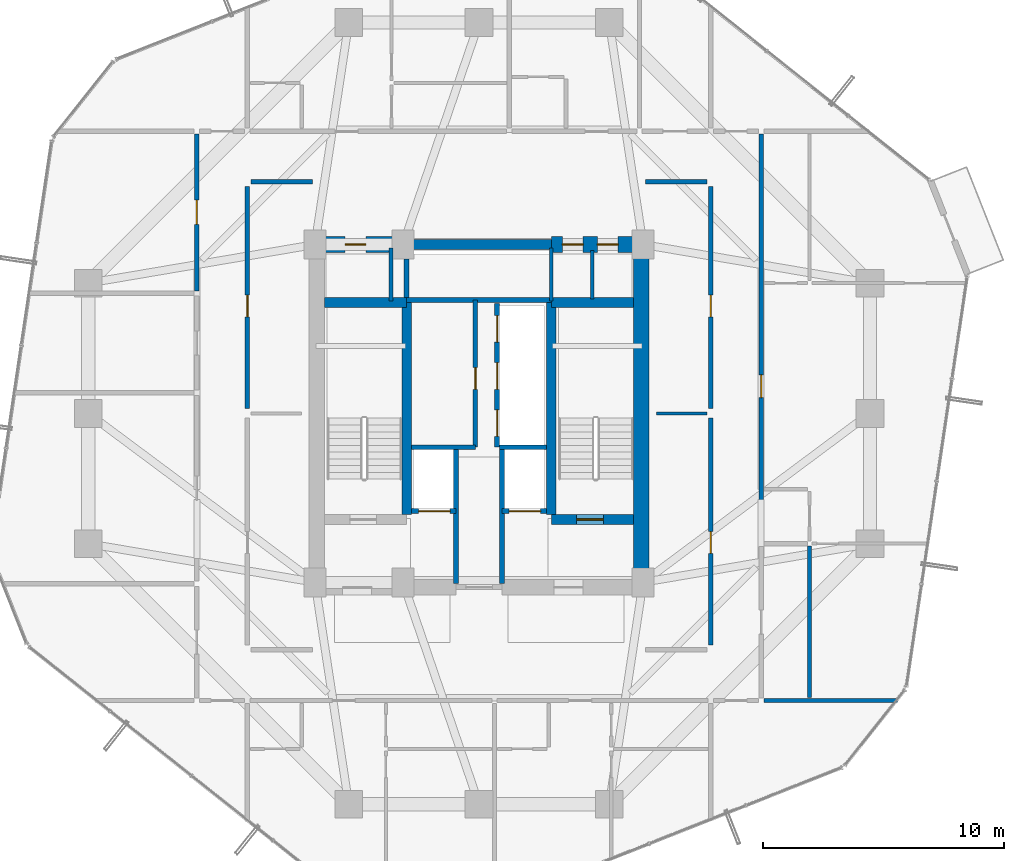
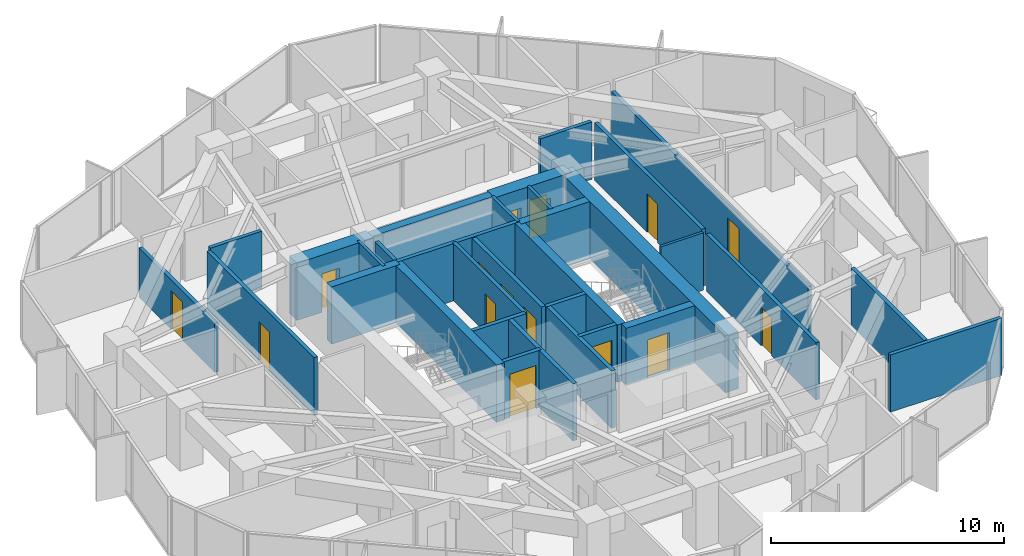
# One storey, part 25 of 29: 32 walls, 15 doors, 15 openings.
"""IFC4 building model written with IfcOpenShell, lengths in metres."""

from ifc_helpers import new_model, si_unit, direction, frame, frame_2d, origin, place, context, subcontext, project, spatial, rectangle, extrude, source, transform, mapped, material, layer, layer_set, type_object, element, fill, save


model = new_model("IFC4")

# Units and contexts
model_context = context("Model", 3, precision=1e-05, world=origin(), true_north=direction((0.0, 1.0)))
body_context = subcontext(model_context, "Body", "Model", "MODEL_VIEW")
ifc_project = project(units=[si_unit("LENGTHUNIT", "METRE"), si_unit("AREAUNIT", "SQUARE_METRE"), si_unit("VOLUMEUNIT", "CUBIC_METRE"), si_unit("PLANEANGLEUNIT", "RADIAN"), si_unit("MASSUNIT", "GRAM", prefix="KILO")], contexts=[model_context])

# Site, building, storey
site_placement = place(None, origin())
site = spatial("IfcSite", under=ifc_project, at=site_placement, CompositionType="ELEMENT")
building_placement = place(site_placement, origin())
building = spatial("IfcBuilding", under=site, at=building_placement, Name="Veraguas Prism Commons", CompositionType="ELEMENT")
storey_placement = place(building_placement, frame((0.0, 0.0, 99.199951171875)))
storey = spatial("IfcBuildingStorey", under=building, at=storey_placement, Name="L27", CompositionType="ELEMENT", Elevation=99.199951171875)

# Wall
ifc_material_1 = material(Name="Concrete C50/60", Category="concrete")
ifc_layer_1 = layer(ifc_material_1, 0.39990234375, Name="Clinic and Mid Core Shear Wall RC 400", Category="concrete")
ifc_layer_set_1 = layer_set([ifc_layer_1], Name="Concrete C50/60")
wall_type_1 = type_object("IfcWallType", Name="Clinic and Mid Core Shear Wall RC 400", PredefinedType="SHEAR", material=ifc_layer_set_1)
wall_1_placement = place(storey_placement, frame((21.0, 31.0, 0.0), z_axis=(0.0, 0.0, 1.0), x_axis=(1.0, 0.0, 0.0)))
element("IfcWall", 1, at=wall_1_placement, inside=storey, type_object=wall_type_1, Name="High-Rise Lift Bank Front Shear Wall L27", PredefinedType="SHEAR", context=body_context, shape_type="SweptSolid", body=[
    extrude(rectangle(XDim=6.0, YDim=0.39990234375, at=frame_2d((3.0, 0.0))), origin(), (0.0, 0.0, 1.0), 3.0),
])

# Wall, opening, door
wall_2_placement = place(storey_placement, frame((27.0, 19.60009765625, 0.0), z_axis=(0.0, 0.0, 1.0), x_axis=(1.0, 0.0, 0.0)))
wall_2 = element("IfcWall", 2, at=wall_2_placement, inside=storey, type_object=wall_type_1, Name="Stair ST-02 South Shear Wall L27", PredefinedType="SHEAR", context=body_context, shape_type="SweptSolid", body=[
    extrude(rectangle(XDim=3.39990234375, YDim=0.39990234375, at=frame_2d((1.699951171875, 0.0))), origin(), (0.0, 0.0, 1.0), 3.0),
])
opening_1_placement = place(wall_2_placement, frame((1.050048828125, 0.0, 0.0)))
opening_1 = element("IfcOpeningElement", 3, at=opening_1_placement, cuts=wall_2, Name="Opening DR-05", PredefinedType="OPENING", context=body_context, shape_type="SweptSolid", body=[
    extrude(rectangle(XDim=1.10009765625, YDim=2.030029296875, at=frame_2d((0.550048828125, 1.01513671875))), frame((0.0, 0.2099609375, 0.0), z_axis=(0.0, -1.0, 0.0), x_axis=(1.0, 0.0, 0.0)), (0.0, 0.0, 1.0), 0.419921875),
])
ifc_material_2 = material(Name="Steel fire-rated door assembly", Category="steel")
door_type_1 = type_object("IfcDoorType", Name="Protected Stair and Refuge Fire Door 1100x2030", OperationType="NOTDEFINED", PredefinedType="DOOR", material=ifc_material_2)
shared_shape_1 = source(origin(), body_context, "Body", "SweptSolid", [
    extrude(rectangle(XDim=1.10009765625, YDim=2.030029296875, at=frame_2d((0.550048828125, 1.01513671875))), frame((0.0, 0.02490234375, 0.0), z_axis=(0.0, -1.0, 0.0), x_axis=(1.0, 0.0, 0.0)), (0.0, 0.0, 1.0), 0.050048828125),
])
door_1_placement = place(opening_1_placement, origin())
door_1 = element("IfcDoor", 4, at=door_1_placement, inside=storey, type_object=door_type_1, Name="Stair ST-02 Enclosure Door L27", OperationType="SINGLE_SWING_RIGHT", OverallHeight=2.030029296875, OverallWidth=1.10009765625, PredefinedType="DOOR", context=body_context, shape_type="MappedRepresentation", body=[
    mapped(shared_shape_1, transform((0.0, 0.0, 0.0), scale=1.0)),
])
fill(opening_1, door_1)

# Walls
for number, where, z_axis, x_axis, name in (
    (5, (21.0, 19.800048828125, 0.0), (0.0, 0.0, 1.0), (0.0, 1.0, 0.0), "Stair ST-01 Inner Shear Wall L27"),
    (6, (27.0, 19.800048828125, 0.0), (0.0, 0.0, 1.0), (0.0, 1.0, 0.0), "Stair ST-02 Inner Shear Wall L27"),
):
    element("IfcWall", number, at=place(storey_placement, frame(where, z_axis=z_axis, x_axis=x_axis)), inside=storey, type_object=wall_type_1, Name=name, PredefinedType="SHEAR", context=body_context, shape_type="SweptSolid", body=[
        extrude(rectangle(XDim=8.800048828125, YDim=0.39990234375, at=frame_2d((4.39990234375, 0.0))), origin(), (0.0, 0.0, 1.0), 3.0),
    ])
for number, where, z_axis, x_axis, name in (
    (7, (17.60009765625, 28.60009765625, 0.0), (0.0, 0.0, 1.0), (1.0, 0.0, 0.0), "Stair ST-01 North Shear Wall L27"),
    (8, (27.0, 28.60009765625, 0.0), (0.0, 0.0, 1.0), (1.0, 0.0, 0.0), "Stair ST-02 North Shear Wall L27"),
):
    element("IfcWall", number, at=place(storey_placement, frame(where, z_axis=z_axis, x_axis=x_axis)), inside=storey, type_object=wall_type_1, Name=name, PredefinedType="SHEAR", context=body_context, shape_type="SweptSolid", body=[
        extrude(rectangle(XDim=3.39990234375, YDim=0.39990234375, at=frame_2d((1.699951171875, 0.0))), origin(), (0.0, 0.0, 1.0), 3.0),
    ])
ifc_material_3 = material(Name="Concrete C55/67", Category="concrete")
ifc_layer_2 = layer(ifc_material_3, 0.64990234375, Name="Core Outer Shear Wall Mid RC 650", Category="concrete")
ifc_layer_set_2 = layer_set([ifc_layer_2], Name="Concrete C55/67")
wall_type_2 = type_object("IfcWallType", Name="Core Outer Shear Wall Mid RC 650", PredefinedType="SHEAR", material=ifc_layer_set_2)
wall_3_placement = place(storey_placement, frame((30.72509765625, 16.800048828125, 0.0), z_axis=(0.0, 0.0, 1.0), x_axis=(0.0, 1.0, 0.0)))
element("IfcWall", 9, at=wall_3_placement, inside=storey, type_object=wall_type_2, Name="Central Core East Shear Wall L27", PredefinedType="SHEAR", context=body_context, shape_type="SweptSolid", body=[
    extrude(rectangle(XDim=14.199951171875, YDim=0.64990234375, at=frame_2d((7.10009765625, 0.0))), origin(), (0.0, 0.0, 1.0), 3.0),
])

# Wall, opening, door
wall_4_placement = place(storey_placement, frame((17.199951171875, 31.0, 0.0), z_axis=(0.0, 0.0, 1.0), x_axis=(1.0, 0.0, 0.0)))
wall_4 = element("IfcWall", 10, at=wall_4_placement, inside=storey, type_object=wall_type_2, Name="Central Core North-West Shear Wall L27", PredefinedType="SHEAR", context=body_context, shape_type="SweptSolid", body=[
    extrude(rectangle(XDim=3.800048828125, YDim=0.64990234375, at=frame_2d((1.89990234375, 0.0))), origin(), (0.0, 0.0, 1.0), 3.0),
])
opening_2_placement = place(wall_4_placement, frame((1.25, 0.0, 0.0)))
opening_2 = element("IfcOpeningElement", 11, at=opening_2_placement, cuts=wall_4, Name="Opening DR-12", PredefinedType="OPENING", context=body_context, shape_type="SweptSolid", body=[
    extrude(rectangle(XDim=0.860107421875, YDim=2.010009765625, at=frame_2d((0.43017578125, 1.0048828125))), frame((0.0, 0.3349609375, 0.0), z_axis=(0.0, -1.0, 0.0), x_axis=(1.0, 0.0, 0.0)), (0.0, 0.0, 1.0), 0.669921875),
])
door_type_2 = type_object("IfcDoorType", Name="Core WC Fire Door 860x2010", OperationType="NOTDEFINED", PredefinedType="DOOR", material=ifc_material_2)
shared_shape_2 = source(origin(), body_context, "Body", "SweptSolid", [
    extrude(rectangle(XDim=0.860107421875, YDim=2.010009765625, at=frame_2d((0.43017578125, 1.0048828125))), frame((0.0, 0.02490234375, 0.0), z_axis=(0.0, -1.0, 0.0), x_axis=(1.0, 0.0, 0.0)), (0.0, 0.0, 1.0), 0.050048828125),
])
door_2_placement = place(opening_2_placement, origin())
door_2 = element("IfcDoor", 12, at=door_2_placement, inside=storey, type_object=door_type_2, Name="Core NW Service Door L27", OperationType="SINGLE_SWING_RIGHT", OverallHeight=2.010009765625, OverallWidth=0.860107421875, PredefinedType="DOOR", context=body_context, shape_type="MappedRepresentation", body=[
    mapped(shared_shape_2, transform((0.0, 0.0, 0.0), scale=1.0)),
])
fill(opening_2, door_2)

# Wall, openings, doors
wall_5_placement = place(storey_placement, frame((27.0, 31.0, 0.0), z_axis=(0.0, 0.0, 1.0), x_axis=(1.0, 0.0, 0.0)))
wall_5 = element("IfcWall", 13, at=wall_5_placement, inside=storey, type_object=wall_type_2, Name="Central Core North-East Shear Wall L27", PredefinedType="SHEAR", context=body_context, shape_type="SweptSolid", body=[
    extrude(rectangle(XDim=3.800048828125, YDim=0.64990234375, at=frame_2d((1.89990234375, 0.0))), origin(), (0.0, 0.0, 1.0), 3.0),
])
opening_3_placement = place(wall_5_placement, frame((0.449951171875, 0.0, 0.0)))
opening_3 = element("IfcOpeningElement", 14, at=opening_3_placement, cuts=wall_5, Name="Opening DR-12", PredefinedType="OPENING", context=body_context, shape_type="SweptSolid", body=[
    extrude(rectangle(XDim=0.860107421875, YDim=2.010009765625, at=frame_2d((0.43017578125, 1.0048828125))), frame((0.0, 0.3349609375, 0.0), z_axis=(0.0, -1.0, 0.0), x_axis=(1.0, 0.0, 0.0)), (0.0, 0.0, 1.0), 0.669921875),
])
opening_4_placement = place(wall_5_placement, frame((1.89990234375, 0.0, 0.0)))
opening_4 = element("IfcOpeningElement", 15, at=opening_4_placement, cuts=wall_5, Name="Opening DR-12", PredefinedType="OPENING", context=body_context, shape_type="SweptSolid", body=[
    extrude(rectangle(XDim=0.860107421875, YDim=2.010009765625, at=frame_2d((0.43017578125, 1.0048828125))), frame((0.0, 0.3349609375, 0.0), z_axis=(0.0, -1.0, 0.0), x_axis=(1.0, 0.0, 0.0)), (0.0, 0.0, 1.0), 0.669921875),
])
door_3_placement = place(opening_3_placement, origin())
door_3 = element("IfcDoor", 16, at=door_3_placement, inside=storey, type_object=door_type_2, Name="Core NE Room A Door L27", OperationType="SINGLE_SWING_LEFT", OverallHeight=2.010009765625, OverallWidth=0.860107421875, PredefinedType="DOOR", context=body_context, shape_type="MappedRepresentation", body=[
    mapped(shared_shape_2, transform((0.0, 0.0, 0.0), scale=1.0)),
])
fill(opening_3, door_3)
door_4_placement = place(opening_4_placement, origin())
door_4 = element("IfcDoor", 17, at=door_4_placement, inside=storey, type_object=door_type_2, Name="Core NE Room B Door L27", OperationType="SINGLE_SWING_RIGHT", OverallHeight=2.010009765625, OverallWidth=0.860107421875, PredefinedType="DOOR", context=body_context, shape_type="MappedRepresentation", body=[
    mapped(shared_shape_2, transform((0.0, 0.0, 0.0), scale=1.0)),
])
fill(opening_4, door_4)

# Wall, opening, door
ifc_material_4 = material(Name="Autoclaved aerated masonry block 10 MPa", Category="masonry")
ifc_layer_3 = layer(ifc_material_4, 0.179931640625, Name="Corridor and Inter-Tenancy Partition 180", Category="masonry")
ifc_layer_set_3 = layer_set([ifc_layer_3], Name="Autoclaved aerated masonry block 10 MPa")
wall_type_3 = type_object("IfcWallType", Name="Corridor and Inter-Tenancy Partition 180", PredefinedType="PARTITIONING", material=ifc_layer_set_3)
wall_6_placement = place(storey_placement, frame((23.85009765625, 22.60009765625, 0.0), z_axis=(0.0, 0.0, 1.0), x_axis=(0.0, 1.0, 0.0)))
wall_6 = element("IfcWall", 18, at=wall_6_placement, inside=storey, type_object=wall_type_3, Name="Reading Room Partition L27", PredefinedType="PARTITIONING", context=body_context, shape_type="SweptSolid", body=[
    extrude(rectangle(XDim=6.099853515625, YDim=0.179931640625, at=frame_2d((3.0498046875, 0.0))), origin(), (0.0, 0.0, 1.0), 3.0),
])
opening_5_placement = place(wall_6_placement, frame((2.39990234375, 0.0, 0.0)))
opening_5 = element("IfcOpeningElement", 19, at=opening_5_placement, cuts=wall_6, Name="Opening DR-14", PredefinedType="OPENING", context=body_context, shape_type="SweptSolid", body=[
    extrude(rectangle(XDim=0.89990234375, YDim=2.010009765625, at=frame_2d((0.449951171875, 1.0048828125))), frame((0.0, 0.099853515625, 0.0), z_axis=(0.0, -1.0, 0.0), x_axis=(1.0, 0.0, 0.0)), (0.0, 0.0, 1.0), 0.199951171875),
])
door_type_3 = type_object("IfcDoorType", Name="Core Service Room Fire Door 900x2010", OperationType="NOTDEFINED", PredefinedType="DOOR", material=ifc_material_2)
shared_shape_3 = source(origin(), body_context, "Body", "SweptSolid", [
    extrude(rectangle(XDim=0.89990234375, YDim=2.010009765625, at=frame_2d((0.449951171875, 1.0048828125))), frame((0.0, 0.02490234375, 0.0), z_axis=(0.0, -1.0, 0.0), x_axis=(1.0, 0.0, 0.0)), (0.0, 0.0, 1.0), 0.050048828125),
])
door_5_placement = place(opening_5_placement, origin())
door_5 = element("IfcDoor", 20, at=door_5_placement, inside=storey, type_object=door_type_3, Name="Reading Room Door L27", OperationType="SINGLE_SWING_LEFT", OverallHeight=2.010009765625, OverallWidth=0.89990234375, PredefinedType="DOOR", context=body_context, shape_type="MappedRepresentation", body=[
    mapped(shared_shape_3, transform((0.0, 0.0, 0.0), scale=1.0)),
])
fill(opening_5, door_5)

wall_7_placement = place(storey_placement, frame((14.39990234375, 24.199951171875, 0.0), z_axis=(0.0, 0.0, 1.0), x_axis=(0.0, 1.0, 0.0)))
wall_7 = element("IfcWall", 21, at=wall_7_placement, inside=storey, type_object=wall_type_3, Name="WL-L27-IRW2", PredefinedType="PARTITIONING", context=body_context, shape_type="SweptSolid", body=[
    extrude(rectangle(XDim=9.199951171875, YDim=0.179931640625, at=frame_2d((4.60009765625, 0.0))), origin(), (0.0, 0.0, 1.0), 3.0),
])
opening_6_placement = place(wall_7_placement, frame((3.800048828125, 0.0, 0.0)))
opening_6 = element("IfcOpeningElement", 22, at=opening_6_placement, cuts=wall_7, Name="Opening DR-14", PredefinedType="OPENING", context=body_context, shape_type="SweptSolid", body=[
    extrude(rectangle(XDim=0.89990234375, YDim=2.010009765625, at=frame_2d((0.449951171875, 1.0048828125))), frame((0.0, 0.099853515625, 0.0), z_axis=(0.0, -1.0, 0.0), x_axis=(1.0, 0.0, 0.0)), (0.0, 0.0, 1.0), 0.199951171875),
])
door_6_placement = place(opening_6_placement, origin())
door_6 = element("IfcDoor", 23, at=door_6_placement, inside=storey, type_object=door_type_3, Name="Co-op Cycle and Pram Store Door L27", OperationType="SINGLE_SWING_LEFT", OverallHeight=2.010009765625, OverallWidth=0.89990234375, PredefinedType="DOOR", context=body_context, shape_type="MappedRepresentation", body=[
    mapped(shared_shape_3, transform((0.0, 0.0, 0.0), scale=1.0)),
])
fill(opening_6, door_6)

wall_8_placement = place(storey_placement, frame((33.60009765625, 14.39990234375, 0.0), z_axis=(0.0, 0.0, 1.0), x_axis=(0.0, 1.0, 0.0)))
wall_8 = element("IfcWall", 24, at=wall_8_placement, inside=storey, type_object=wall_type_3, Name="WL-L27-IRE1", PredefinedType="PARTITIONING", context=body_context, shape_type="SweptSolid", body=[
    extrude(rectangle(XDim=9.400146484375, YDim=0.179931640625, at=frame_2d((4.7001953125, 0.0))), origin(), (0.0, 0.0, 1.0), 3.0),
])
opening_7_placement = place(wall_8_placement, frame((3.800048828125, 0.0, 0.0)))
opening_7 = element("IfcOpeningElement", 25, at=opening_7_placement, cuts=wall_8, Name="Opening DR-14", PredefinedType="OPENING", context=body_context, shape_type="SweptSolid", body=[
    extrude(rectangle(XDim=0.89990234375, YDim=2.010009765625, at=frame_2d((0.449951171875, 1.0048828125))), frame((0.0, 0.099853515625, 0.0), z_axis=(0.0, -1.0, 0.0), x_axis=(1.0, 0.0, 0.0)), (0.0, 0.0, 1.0), 0.199951171875),
])
door_7_placement = place(opening_7_placement, origin())
door_7 = element("IfcDoor", 26, at=door_7_placement, inside=storey, type_object=door_type_3, Name="Shared Laundry Annex Door L27", OperationType="SINGLE_SWING_RIGHT", OverallHeight=2.010009765625, OverallWidth=0.89990234375, PredefinedType="DOOR", context=body_context, shape_type="MappedRepresentation", body=[
    mapped(shared_shape_3, transform((0.0, 0.0, 0.0), scale=1.0)),
])
fill(opening_7, door_7)

wall_9_placement = place(storey_placement, frame((33.60009765625, 24.199951171875, 0.0), z_axis=(0.0, 0.0, 1.0), x_axis=(0.0, 1.0, 0.0)))
wall_9 = element("IfcWall", 27, at=wall_9_placement, inside=storey, type_object=wall_type_3, Name="WL-L27-IRE2", PredefinedType="PARTITIONING", context=body_context, shape_type="SweptSolid", body=[
    extrude(rectangle(XDim=9.199951171875, YDim=0.179931640625, at=frame_2d((4.60009765625, 0.0))), origin(), (0.0, 0.0, 1.0), 3.0),
])
opening_8_placement = place(wall_9_placement, frame((3.800048828125, 0.0, 0.0)))
opening_8 = element("IfcOpeningElement", 28, at=opening_8_placement, cuts=wall_9, Name="Opening DR-14", PredefinedType="OPENING", context=body_context, shape_type="SweptSolid", body=[
    extrude(rectangle(XDim=0.89990234375, YDim=2.010009765625, at=frame_2d((0.449951171875, 1.0048828125))), frame((0.0, 0.099853515625, 0.0), z_axis=(0.0, -1.0, 0.0), x_axis=(1.0, 0.0, 0.0)), (0.0, 0.0, 1.0), 0.199951171875),
])
door_8_placement = place(opening_8_placement, origin())
door_8 = element("IfcDoor", 29, at=door_8_placement, inside=storey, type_object=door_type_3, Name="Community Reading Alcove Door L27", OperationType="SINGLE_SWING_LEFT", OverallHeight=2.010009765625, OverallWidth=0.89990234375, PredefinedType="DOOR", context=body_context, shape_type="MappedRepresentation", body=[
    mapped(shared_shape_3, transform((0.0, 0.0, 0.0), scale=1.0)),
])
fill(opening_8, door_8)

# Walls
for number, where, z_axis, x_axis, name in (
    (30, (14.550048828125, 33.60009765625, 0.0), (0.0, 0.0, 1.0), (1.0, 0.0, 0.0), "WL-L27-IRWN"),
    (31, (30.89990234375, 33.60009765625, 0.0), (0.0, 0.0, 1.0), (1.0, 0.0, 0.0), "WL-L27-IREN"),
):
    element("IfcWall", number, at=place(storey_placement, frame(where, z_axis=z_axis, x_axis=x_axis)), inside=storey, type_object=wall_type_3, Name=name, PredefinedType="PARTITIONING", context=body_context, shape_type="SweptSolid", body=[
        extrude(rectangle(XDim=2.550048828125, YDim=0.179931640625, at=frame_2d((1.27490234375, 0.0))), origin(), (0.0, 0.0, 1.0), 3.0),
    ])

# Wall, opening, door
wall_10_placement = place(storey_placement, frame((12.300048828125, 29.083984375, 0.0), z_axis=(0.0, 0.0, 1.0), x_axis=(0.0, 1.0, 0.0)))
wall_10 = element("IfcWall", 32, at=wall_10_placement, inside=storey, type_object=wall_type_3, Name="WL-L27-PT037", PredefinedType="PARTITIONING", context=body_context, shape_type="SweptSolid", body=[
    extrude(rectangle(XDim=6.506103515625, YDim=0.179931640625, at=frame_2d((3.2529296875, 0.0))), origin(), (0.0, 0.0, 1.0), 2.580078125),
])
opening_9_placement = place(wall_10_placement, frame((2.7529296875, 0.0, 0.0)))
opening_9 = element("IfcOpeningElement", 33, at=opening_9_placement, cuts=wall_10, Name="Opening DR-13", PredefinedType="OPENING", context=body_context, shape_type="SweptSolid", body=[
    extrude(rectangle(XDim=1.0, YDim=2.010009765625, at=frame_2d((0.5, 1.0048828125))), frame((0.0, 0.099853515625, 0.0), z_axis=(0.0, -1.0, 0.0), x_axis=(1.0, 0.0, 0.0)), (0.0, 0.0, 1.0), 0.199951171875),
])
door_type_4 = type_object("IfcDoorType", Name="Core Accessible WC and Clinic Fire Door 1000x2010", OperationType="NOTDEFINED", PredefinedType="DOOR", material=ifc_material_2)
shared_shape_4 = source(origin(), body_context, "Body", "SweptSolid", [
    extrude(rectangle(XDim=1.0, YDim=2.010009765625, at=frame_2d((0.5, 1.0048828125))), frame((0.0, 0.02490234375, 0.0), z_axis=(0.0, -1.0, 0.0), x_axis=(1.0, 0.0, 0.0)), (0.0, 0.0, 1.0), 0.050048828125),
])
door_9_placement = place(opening_9_placement, origin())
door_9 = element("IfcDoor", 34, at=door_9_placement, inside=storey, type_object=door_type_4, Name="Co-op Store W Door", OperationType="SINGLE_SWING_RIGHT", OverallHeight=2.010009765625, OverallWidth=1.0, PredefinedType="DOOR", context=body_context, shape_type="MappedRepresentation", body=[
    mapped(shared_shape_4, transform((0.0, 0.0, 0.0), scale=1.0)),
])
fill(opening_9, door_9)

# Wall
wall_11_placement = place(storey_placement, frame((35.820068359375, 12.10009765625, 0.0), z_axis=(0.0, 0.0, 1.0), x_axis=(1.0, 0.0, 0.0)))
element("IfcWall", 35, at=wall_11_placement, inside=storey, type_object=wall_type_3, Name="WL-L27-PT039", PredefinedType="PARTITIONING", context=body_context, shape_type="SweptSolid", body=[
    extrude(rectangle(XDim=5.521484375, YDim=0.179931640625, at=frame_2d((2.7607421875, 0.0))), origin(), (0.0, 0.0, 1.0), 3.0),
])

# Wall, opening, door
wall_12_placement = place(storey_placement, frame((35.699951171875, 18.7099609375, 0.0), z_axis=(0.0, 0.0, 1.0), x_axis=(0.0, 1.0, 0.0)))
wall_12 = element("IfcWall", 36, at=wall_12_placement, inside=storey, type_object=wall_type_3, Name="WL-L27-PT042", PredefinedType="PARTITIONING", context=body_context, shape_type="SweptSolid", body=[
    extrude(rectangle(XDim=16.880126953125, YDim=0.179931640625, at=frame_2d((8.43994140625, 0.0))), origin(), (0.0, 0.0, 1.0), 2.580078125),
])
opening_10_placement = place(wall_12_placement, frame((5.93994140625, 0.0, 0.0)))
opening_10 = element("IfcOpeningElement", 37, at=opening_10_placement, cuts=wall_12, Name="Opening DR-01", PredefinedType="OPENING", context=body_context, shape_type="SweptSolid", body=[
    extrude(rectangle(XDim=0.949951171875, YDim=2.02001953125, at=frame_2d((0.47509765625, 1.010009765625))), frame((0.0, 0.099853515625, 0.0), z_axis=(0.0, -1.0, 0.0), x_axis=(1.0, 0.0, 0.0)), (0.0, 0.0, 1.0), 0.199951171875),
])
ifc_material_5 = material(Name="Anodised aluminium EN AW-6063 T6", Category="aluminium")
door_type_5 = type_object("IfcDoorType", Name="Apartment Entrance Fire Door 950x2020", OperationType="NOTDEFINED", PredefinedType="DOOR", material=ifc_material_5)
shared_shape_5 = source(origin(), body_context, "Body", "SweptSolid", [
    extrude(rectangle(XDim=0.949951171875, YDim=2.02001953125, at=frame_2d((0.47509765625, 1.010009765625))), frame((0.0, 0.02490234375, 0.0), z_axis=(0.0, -1.0, 0.0), x_axis=(1.0, 0.0, 0.0)), (0.0, 0.0, 1.0), 0.050048828125),
])
door_10_placement = place(opening_10_placement, origin())
door_10 = element("IfcDoor", 38, at=door_10_placement, inside=storey, type_object=door_type_5, Name="Flat 27E Entrance Door", OperationType="SINGLE_SWING_RIGHT", OverallHeight=2.02001953125, OverallWidth=0.949951171875, PredefinedType="DOOR", context=body_context, shape_type="MappedRepresentation", body=[
    mapped(shared_shape_5, transform((0.0, 0.0, 0.0), scale=1.0)),
])
fill(opening_10, door_10)

# Walls
wall_13_placement = place(storey_placement, frame((37.699951171875, 12.219970703125, 0.0), z_axis=(0.0, 0.0, 1.0), x_axis=(0.0, 1.0, 0.0)))
element("IfcWall", 39, at=wall_13_placement, inside=storey, type_object=wall_type_3, Name="WL-L27-PT043", PredefinedType="PARTITIONING", context=body_context, shape_type="SweptSolid", body=[
    extrude(rectangle(XDim=6.280029296875, YDim=0.179931640625, at=frame_2d((3.14013671875, 0.0))), origin(), (0.0, 0.0, 1.0), 3.0),
])
ifc_material_6 = material(Name="Lightweight acoustic gypsum board")
ifc_layer_4 = layer(ifc_material_6, 0.125, Name="Internal Apartment Room Partition 125")
ifc_layer_set_4 = layer_set([ifc_layer_4], Name="Lightweight acoustic gypsum board")
wall_type_4 = type_object("IfcWallType", Name="Internal Apartment Room Partition 125", PredefinedType="PARTITIONING", material=ifc_layer_set_4)
wall_14_placement = place(storey_placement, frame((31.35009765625, 24.0, 0.0), z_axis=(0.0, 0.0, 1.0), x_axis=(1.0, 0.0, 0.0)))
element("IfcWall", 40, at=wall_14_placement, inside=storey, type_object=wall_type_4, Name="WL-L27-IREM", PredefinedType="PARTITIONING", context=body_context, shape_type="SweptSolid", body=[
    extrude(rectangle(XDim=2.099853515625, YDim=0.125, at=frame_2d((1.0498046875, 0.0))), origin(), (0.0, 0.0, 1.0), 3.0),
])

# Wall, opening, door
ifc_layer_5 = layer(ifc_material_4, 0.199951171875, Name="Rated Shaft and Lobby Block Wall 200", Category="masonry")
ifc_layer_set_5 = layer_set([ifc_layer_5], Name="Autoclaved aerated masonry block 10 MPa")
wall_type_5 = type_object("IfcWallType", Name="Rated Shaft and Lobby Block Wall 200", PredefinedType="SOLIDWALL", material=ifc_layer_set_5)
wall_15_placement = place(storey_placement, frame((21.199951171875, 19.949951171875, 0.0), z_axis=(0.0, 0.0, 1.0), x_axis=(1.0, 0.0, 0.0)))
wall_15 = element("IfcWall", 41, at=wall_15_placement, inside=storey, type_object=wall_type_5, Name="Firefighting Lift FFL-1 Front Wall L27", PredefinedType="SOLIDWALL", context=body_context, shape_type="SweptSolid", body=[
    extrude(rectangle(XDim=1.85009765625, YDim=0.199951171875, at=frame_2d((0.925048828125, 0.0))), origin(), (0.0, 0.0, 1.0), 3.0),
])
opening_11_placement = place(wall_15_placement, frame((0.300048828125, 0.0, 0.0)))
opening_11 = element("IfcOpeningElement", 42, at=opening_11_placement, cuts=wall_15, Name="Opening LD-02", PredefinedType="OPENING", context=body_context, shape_type="SweptSolid", body=[
    extrude(rectangle(XDim=1.300048828125, YDim=2.25, at=frame_2d((0.64990234375, 1.125))), frame((0.0, 0.10986328125, 0.0), z_axis=(0.0, -1.0, 0.0), x_axis=(1.0, 0.0, 0.0)), (0.0, 0.0, 1.0), 0.219970703125),
])
ifc_material_7 = material(Name="Stainless steel AISI 316", Category="steel")
door_type_6 = type_object("IfcDoorType", Name="Firefighting Lift Sliding Landing Door 1300x2250", OperationType="NOTDEFINED", PredefinedType="DOOR", material=ifc_material_7)
shared_shape_6 = source(origin(), body_context, "Body", "SweptSolid", [
    extrude(rectangle(XDim=1.300048828125, YDim=2.25, at=frame_2d((0.64990234375, 1.125))), frame((0.0, 0.02490234375, 0.0), z_axis=(0.0, -1.0, 0.0), x_axis=(1.0, 0.0, 0.0)), (0.0, 0.0, 1.0), 0.050048828125),
])
door_11_placement = place(opening_11_placement, origin())
door_11 = element("IfcDoor", 43, at=door_11_placement, inside=storey, type_object=door_type_6, Name="Firefighting Lift FFL-1 Landing Door L27", OperationType="SLIDING_TO_LEFT", OverallHeight=2.25, OverallWidth=1.300048828125, PredefinedType="DOOR", context=body_context, shape_type="MappedRepresentation", body=[
    mapped(shared_shape_6, transform((0.0, 0.0, 0.0), scale=1.0)),
])
fill(opening_11, door_11)

wall_16_placement = place(storey_placement, frame((24.949951171875, 19.949951171875, 0.0), z_axis=(0.0, 0.0, 1.0), x_axis=(1.0, 0.0, 0.0)))
wall_16 = element("IfcWall", 44, at=wall_16_placement, inside=storey, type_object=wall_type_5, Name="Firefighting Lift FFL-2 Front Wall L27", PredefinedType="SOLIDWALL", context=body_context, shape_type="SweptSolid", body=[
    extrude(rectangle(XDim=1.85009765625, YDim=0.199951171875, at=frame_2d((0.925048828125, 0.0))), origin(), (0.0, 0.0, 1.0), 3.0),
])
opening_12_placement = place(wall_16_placement, frame((0.300048828125, 0.0, 0.0)))
opening_12 = element("IfcOpeningElement", 45, at=opening_12_placement, cuts=wall_16, Name="Opening LD-02", PredefinedType="OPENING", context=body_context, shape_type="SweptSolid", body=[
    extrude(rectangle(XDim=1.300048828125, YDim=2.25, at=frame_2d((0.64990234375, 1.125))), frame((0.0, 0.10986328125, 0.0), z_axis=(0.0, -1.0, 0.0), x_axis=(1.0, 0.0, 0.0)), (0.0, 0.0, 1.0), 0.219970703125),
])
door_12_placement = place(opening_12_placement, origin())
door_12 = element("IfcDoor", 46, at=door_12_placement, inside=storey, type_object=door_type_6, Name="Firefighting Lift FFL-2 Front Wall L27", OperationType="SLIDING_TO_LEFT", OverallHeight=2.25, OverallWidth=1.300048828125, PredefinedType="DOOR", context=body_context, shape_type="MappedRepresentation", body=[
    mapped(shared_shape_6, transform((0.0, 0.0, 0.0), scale=1.0)),
])
fill(opening_12, door_12)

# Walls
for number, where, z_axis, x_axis, name in (
    (47, (23.050048828125, 16.949951171875, 0.0), (0.0, 0.0, 1.0), (0.0, 1.0, 0.0), "West FF Lobby Divider Wall L27"),
    (48, (24.949951171875, 16.949951171875, 0.0), (0.0, 0.0, 1.0), (0.0, 1.0, 0.0), "East FF Lobby Divider Wall L27"),
):
    element("IfcWall", number, at=place(storey_placement, frame(where, z_axis=z_axis, x_axis=x_axis)), inside=storey, type_object=wall_type_5, Name=name, PredefinedType="SOLIDWALL", context=body_context, shape_type="SweptSolid", body=[
        extrude(rectangle(XDim=5.60009765625, YDim=0.199951171875, at=frame_2d((2.800048828125, 0.0))), origin(), (0.0, 0.0, 1.0), 3.0),
    ])
wall_17_placement = place(storey_placement, frame((21.199951171875, 22.60009765625, 0.0), z_axis=(0.0, 0.0, 1.0), x_axis=(1.0, 0.0, 0.0)))
element("IfcWall", 49, at=wall_17_placement, inside=storey, type_object=wall_type_5, Name="Firefighting Lift FFL-1 Rear Wall L27", PredefinedType="SOLIDWALL", context=body_context, shape_type="SweptSolid", body=[
    extrude(rectangle(XDim=2.650146484375, YDim=0.199951171875, at=frame_2d((1.3251953125, 0.0))), origin(), (0.0, 0.0, 1.0), 3.0),
])
wall_18_placement = place(storey_placement, frame((24.85009765625, 22.60009765625, 0.0), z_axis=(0.0, 0.0, 1.0), x_axis=(1.0, 0.0, 0.0)))
element("IfcWall", 50, at=wall_18_placement, inside=storey, type_object=wall_type_5, Name="Firefighting Lift FFL-2 Rear Wall L27", PredefinedType="SOLIDWALL", context=body_context, shape_type="SweptSolid", body=[
    extrude(rectangle(XDim=1.949951171875, YDim=0.199951171875, at=frame_2d((0.97509765625, 0.0))), origin(), (0.0, 0.0, 1.0), 3.0),
])
wall_19_placement = place(storey_placement, frame((21.0, 28.699951171875, 0.0), z_axis=(0.0, 0.0, 1.0), x_axis=(1.0, 0.0, 0.0)))
element("IfcWall", 51, at=wall_19_placement, inside=storey, type_object=wall_type_5, Name="High-Rise Lift Bank Rear Shaft Wall L27", PredefinedType="SOLIDWALL", context=body_context, shape_type="SweptSolid", body=[
    extrude(rectangle(XDim=6.0, YDim=0.199951171875, at=frame_2d((3.0, 0.0))), origin(), (0.0, 0.0, 1.0), 3.0),
])
wall_20_placement = place(storey_placement, frame((21.0, 28.800048828125, 0.0), z_axis=(0.0, 0.0, 1.0), x_axis=(0.0, 1.0, 0.0)))
element("IfcWall", 52, at=wall_20_placement, inside=storey, type_object=wall_type_5, Name="High-Rise Lift Bank West Shaft Wall L27", PredefinedType="SOLIDWALL", context=body_context, shape_type="SweptSolid", body=[
    extrude(rectangle(XDim=1.599853515625, YDim=0.199951171875, at=frame_2d((0.7998046875, 0.0))), origin(), (0.0, 0.0, 1.0), 3.0),
])

# Wall, openings, doors
wall_21_placement = place(storey_placement, frame((24.75, 22.60009765625, 0.0), z_axis=(0.0, 0.0, 1.0), x_axis=(0.0, 1.0, 0.0)))
wall_21 = element("IfcWall", 53, at=wall_21_placement, inside=storey, type_object=wall_type_5, Name="Mid-Rise Lift Bank Front Wall L27", PredefinedType="SOLIDWALL", context=body_context, shape_type="SweptSolid", body=[
    extrude(rectangle(XDim=5.949951171875, YDim=0.199951171875, at=frame_2d((2.97509765625, 0.0))), origin(), (0.0, 0.0, 1.0), 3.0),
])
opening_13_placement = place(wall_21_placement, frame((0.449951171875, 0.0, 0.0)))
opening_13 = element("IfcOpeningElement", 54, at=opening_13_placement, cuts=wall_21, Name="Opening LD-01", PredefinedType="OPENING", context=body_context, shape_type="SweptSolid", body=[
    extrude(rectangle(XDim=1.10009765625, YDim=2.080078125, at=frame_2d((0.550048828125, 1.0400390625))), frame((0.0, 0.10986328125, 0.0), z_axis=(0.0, -1.0, 0.0), x_axis=(1.0, 0.0, 0.0)), (0.0, 0.0, 1.0), 0.219970703125),
])
opening_14_placement = place(wall_21_placement, frame((2.39990234375, 0.0, 0.0)))
opening_14 = element("IfcOpeningElement", 55, at=opening_14_placement, cuts=wall_21, Name="Opening LD-01", PredefinedType="OPENING", context=body_context, shape_type="SweptSolid", body=[
    extrude(rectangle(XDim=1.10009765625, YDim=2.080078125, at=frame_2d((0.550048828125, 1.0400390625))), frame((0.0, 0.10986328125, 0.0), z_axis=(0.0, -1.0, 0.0), x_axis=(1.0, 0.0, 0.0)), (0.0, 0.0, 1.0), 0.219970703125),
])
opening_15_placement = place(wall_21_placement, frame((4.35009765625, 0.0, 0.0)))
opening_15 = element("IfcOpeningElement", 56, at=opening_15_placement, cuts=wall_21, Name="Opening LD-01", PredefinedType="OPENING", context=body_context, shape_type="SweptSolid", body=[
    extrude(rectangle(XDim=1.10009765625, YDim=2.080078125, at=frame_2d((0.550048828125, 1.0400390625))), frame((0.0, 0.10986328125, 0.0), z_axis=(0.0, -1.0, 0.0), x_axis=(1.0, 0.0, 0.0)), (0.0, 0.0, 1.0), 0.219970703125),
])
door_type_7 = type_object("IfcDoorType", Name="Passenger Lift Sliding Landing Door 1100x2080", OperationType="NOTDEFINED", PredefinedType="DOOR", material=ifc_material_7)
shared_shape_7 = source(origin(), body_context, "Body", "SweptSolid", [
    extrude(rectangle(XDim=1.10009765625, YDim=2.080078125, at=frame_2d((0.550048828125, 1.0400390625))), frame((0.0, 0.02490234375, 0.0), z_axis=(0.0, -1.0, 0.0), x_axis=(1.0, 0.0, 0.0)), (0.0, 0.0, 1.0), 0.050048828125),
])
door_13_placement = place(opening_13_placement, origin())
door_13 = element("IfcDoor", 57, at=door_13_placement, inside=storey, type_object=door_type_7, Name="Sliding Landing Door PL-M1 L27", OperationType="SLIDING_TO_LEFT", OverallHeight=2.080078125, OverallWidth=1.10009765625, PredefinedType="DOOR", context=body_context, shape_type="MappedRepresentation", body=[
    mapped(shared_shape_7, transform((0.0, 0.0, 0.0), scale=1.0)),
])
fill(opening_13, door_13)
door_14_placement = place(opening_14_placement, origin())
door_14 = element("IfcDoor", 58, at=door_14_placement, inside=storey, type_object=door_type_7, Name="Sliding Landing Door PL-M2 L27", OperationType="SLIDING_TO_LEFT", OverallHeight=2.080078125, OverallWidth=1.10009765625, PredefinedType="DOOR", context=body_context, shape_type="MappedRepresentation", body=[
    mapped(shared_shape_7, transform((0.0, 0.0, 0.0), scale=1.0)),
])
fill(opening_14, door_14)
door_15_placement = place(opening_15_placement, origin())
door_15 = element("IfcDoor", 59, at=door_15_placement, inside=storey, type_object=door_type_7, Name="Sliding Landing Door PL-M3 L27", OperationType="SLIDING_TO_LEFT", OverallHeight=2.080078125, OverallWidth=1.10009765625, PredefinedType="DOOR", context=body_context, shape_type="MappedRepresentation", body=[
    mapped(shared_shape_7, transform((0.0, 0.0, 0.0), scale=1.0)),
])
fill(opening_15, door_15)

# Walls
ifc_layer_6 = layer(ifc_material_6, 0.14990234375, Name="Wet Room and Clinic Acoustic Partition 150")
ifc_layer_set_6 = layer_set([ifc_layer_6], Name="Lightweight acoustic gypsum board")
wall_type_6 = type_object("IfcWallType", Name="Wet Room and Clinic Acoustic Partition 150", PredefinedType="PARTITIONING", material=ifc_layer_set_6)
for number, where, z_axis, x_axis, name in (
    (60, (20.35009765625, 28.64990234375, 0.0), (0.0, 0.0, 1.0), (0.0, 1.0, 0.0), "Core NW Service Inner Wall L27"),
    (61, (27.0, 28.64990234375, 0.0), (0.0, 0.0, 1.0), (0.0, 1.0, 0.0), "Core NE Service Inner Wall L27"),
):
    element("IfcWall", number, at=place(storey_placement, frame(where, z_axis=z_axis, x_axis=x_axis)), inside=storey, type_object=wall_type_6, Name=name, PredefinedType="PARTITIONING", context=body_context, shape_type="SweptSolid", body=[
        extrude(rectangle(XDim=2.2001953125, YDim=0.14990234375, at=frame_2d((1.10009765625, 0.0))), origin(), (0.0, 0.0, 1.0), 3.0),
    ])
wall_22_placement = place(storey_placement, frame((28.699951171875, 28.75, 0.0), z_axis=(0.0, 0.0, 1.0), x_axis=(0.0, 1.0, 0.0)))
element("IfcWall", 62, at=wall_22_placement, inside=storey, type_object=wall_type_6, Name="WL-L27-CSVD1", PredefinedType="PARTITIONING", context=body_context, shape_type="SweptSolid", body=[
    extrude(rectangle(XDim=2.0, YDim=0.14990234375, at=frame_2d((1.0, 0.0))), origin(), (0.0, 0.0, 1.0), 3.0),
])

save(model, "model.ifc")
